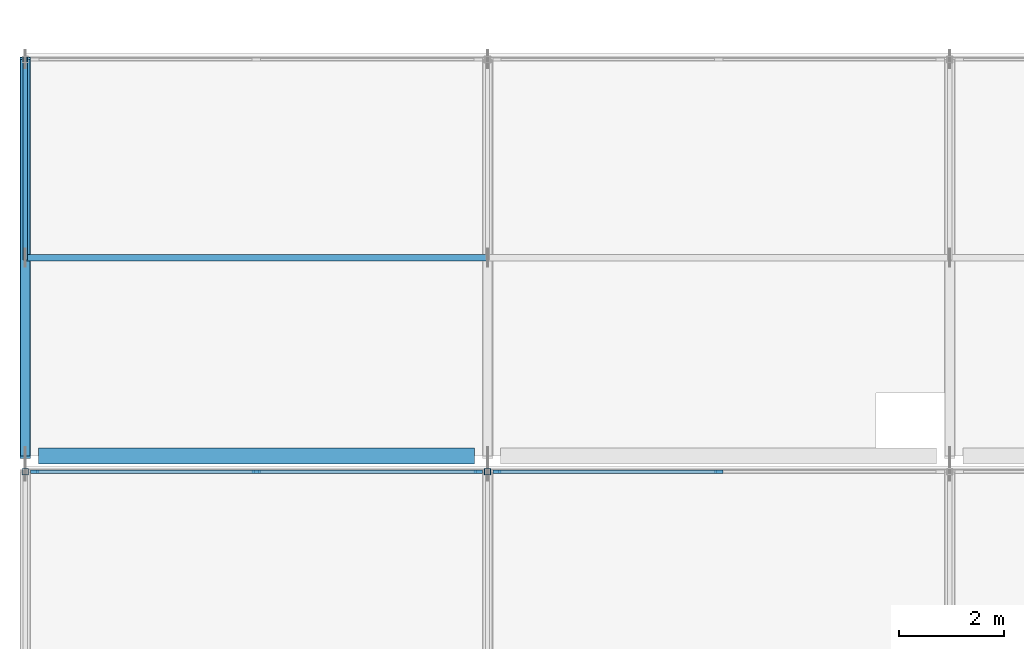
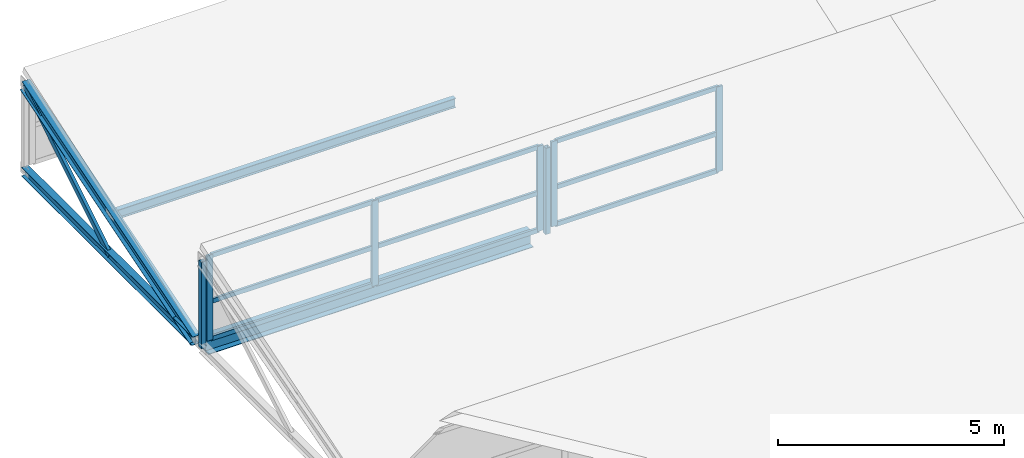
# One storey, part 4 of 40: 20 members, 1 beam, 2 elements without a shape of their own.
"""IFC4 building model written with IfcOpenShell, lengths in metres."""

from ifc_helpers import new_model, si_unit, direction, frame, origin, origin_2d, place, context, subcontext, project, spatial, rectangle, hollow_rectangle, i_section, extrude, material, material_profile, profile_set, type_object, element, aggregate, save


model = new_model("IFC4")

# Units and contexts
model_context = context("Model", 3, precision=1e-05, world=origin(), true_north=direction((0.0, 1.0)))
body_context = subcontext(model_context, "Body", "Model", "MODEL_VIEW")
ifc_project = project(units=[si_unit("LENGTHUNIT", "METRE"), si_unit("AREAUNIT", "SQUARE_METRE"), si_unit("VOLUMEUNIT", "CUBIC_METRE"), si_unit("PLANEANGLEUNIT", "RADIAN"), si_unit("MASSUNIT", "GRAM", prefix="KILO")], contexts=[model_context])

# Site, building, storey
site_placement = place(None, origin())
site = spatial("IfcSite", under=ifc_project, at=site_placement, CompositionType="ELEMENT")
building_placement = place(site_placement, origin())
building = spatial("IfcBuilding", under=site, at=building_placement, Name="Brinegate Botanical Conservatory", CompositionType="ELEMENT")
storey_placement = place(building_placement, frame((0.0, 0.0, 19.199951171875)))
storey = spatial("IfcBuildingStorey", under=building, at=storey_placement, Name="L05", CompositionType="ELEMENT", Elevation=19.199951171875)

# Beam
ifc_material_1 = material(Name="Structural steel Q355B / S355", Category="steel")
ifc_material_profile_1 = material_profile(ifc_material_1, i_section(OverallWidth=0.300048828125, OverallDepth=0.389892578125, WebThickness=0.010009765625, FlangeThickness=0.01611328125, at=origin_2d()), Name="HM 390x300x10x16")
ifc_profile_set_1 = profile_set([ifc_material_profile_1], Name="Structural steel Q355B / S355")
beam_type = type_object("IfcBeamType", Name="Beam_BM-S5", PredefinedType="BEAM", material=ifc_profile_set_1)
beam_placement = place(storey_placement, frame((51.050048828125, 103.60009765625, -0.179931640625), z_axis=(1.0, 0.0, 0.0), x_axis=(0.0, 1.0, 0.0)))
element("IfcBeam", 1, at=beam_placement, inside=storey, type_object=beam_type, Name="Sawtooth valley girder BM-S5 B3.1", PredefinedType="BEAM", context=body_context, shape_type="SweptSolid", body=[
    extrude(i_section(OverallWidth=0.300048828125, OverallDepth=0.389892578125, WebThickness=0.010009765625, FlangeThickness=0.01611328125, at=origin_2d()), origin(), (0.0, 0.0, 1.0), 8.300048828125),
])

# Curtain wall, members
ifc_material_2 = material(Name="Thermally broken anodised aluminium AW-6063-T6", Category="aluminium")
curtain_wall_type = type_object("IfcCurtainWallType", Name="CW_CW-SAW", PredefinedType="USERDEFINED", material=ifc_material_2)
curtain_wall_1_placement = place(storey_placement, origin())
curtain_wall_1 = element("IfcCurtainWall", 2, at=curtain_wall_1_placement, inside=storey, type_object=curtain_wall_type, Name="Sawtooth north-light clerestory B2.1", ObjectType="FACTORY CURTAIN WALL", PredefinedType="USERDEFINED")
ifc_material_profile_2 = material_profile(ifc_material_2, rectangle(XDim=0.06005859375, YDim=0.159912109375, at=origin_2d()), Name="ALUM MULLION 60x160")
ifc_profile_set_2 = profile_set([ifc_material_profile_2], Name="Thermally broken anodised aluminium AW-6063-T6")
member_type_1 = type_object("IfcMemberType", Name="Member_ML-01", PredefinedType="MULLION", material=ifc_profile_set_2)
member_1_placement = place(storey_placement, frame((50.97998046875, 103.300048828125, 0.150146484375), z_axis=(0.0, 0.0, 1.0), x_axis=(0.0, 1.0, 0.0)))
member_1 = element("IfcMember", 3, at=member_1_placement, type_object=member_type_1, Name="CW-SAW mullion 1", PredefinedType="MULLION", context=body_context, shape_type="SweptSolid", body=[
    extrude(rectangle(XDim=0.06005859375, YDim=0.159912109375, at=origin_2d()), origin(), (0.0, 0.0, 1.0), 2.2998046875),
])
member_2_placement = place(storey_placement, frame((55.199951171875, 103.300048828125, 0.150146484375), z_axis=(0.0, 0.0, 1.0), x_axis=(0.0, 1.0, 0.0)))
member_2 = element("IfcMember", 4, at=member_2_placement, type_object=member_type_1, Name="CW-SAW mullion 2", PredefinedType="MULLION", context=body_context, shape_type="SweptSolid", body=[
    extrude(rectangle(XDim=0.06005859375, YDim=0.159912109375, at=origin_2d()), origin(), (0.0, 0.0, 1.0), 2.2998046875),
])
member_3_placement = place(storey_placement, frame((59.419921875, 103.300048828125, 0.150146484375), z_axis=(0.0, 0.0, 1.0), x_axis=(0.0, 1.0, 0.0)))
member_3 = element("IfcMember", 5, at=member_3_placement, type_object=member_type_1, Name="CW-SAW mullion 3", PredefinedType="MULLION", context=body_context, shape_type="SweptSolid", body=[
    extrude(rectangle(XDim=0.06005859375, YDim=0.159912109375, at=origin_2d()), origin(), (0.0, 0.0, 1.0), 2.2998046875),
])

curtain_wall_2_placement = place(storey_placement, origin())
curtain_wall_2 = element("IfcCurtainWall", 6, at=curtain_wall_2_placement, inside=storey, type_object=curtain_wall_type, Name="Sawtooth north-light clerestory B2.2", ObjectType="FACTORY CURTAIN WALL", PredefinedType="USERDEFINED")
member_4_placement = place(storey_placement, frame((59.780029296875, 103.300048828125, 0.150146484375), z_axis=(0.0, 0.0, 1.0), x_axis=(0.0, 1.0, 0.0)))
member_4 = element("IfcMember", 7, at=member_4_placement, type_object=member_type_1, Name="CW-SAW mullion 1", PredefinedType="MULLION", context=body_context, shape_type="SweptSolid", body=[
    extrude(rectangle(XDim=0.06005859375, YDim=0.159912109375, at=origin_2d()), origin(), (0.0, 0.0, 1.0), 2.2998046875),
])
member_5_placement = place(storey_placement, frame((64.0, 103.300048828125, 0.150146484375), z_axis=(0.0, 0.0, 1.0), x_axis=(0.0, 1.0, 0.0)))
member_5 = element("IfcMember", 8, at=member_5_placement, type_object=member_type_1, Name="CW-SAW mullion 2", PredefinedType="MULLION", context=body_context, shape_type="SweptSolid", body=[
    extrude(rectangle(XDim=0.06005859375, YDim=0.159912109375, at=origin_2d()), origin(), (0.0, 0.0, 1.0), 2.2998046875),
])

# Members
ifc_material_profile_3 = material_profile(ifc_material_1, hollow_rectangle(XDim=0.080078125, YDim=0.159912109375, WallThickness=0.006103515625, at=origin_2d()), Name="RHS 160x80x6")
ifc_profile_set_3 = profile_set([ifc_material_profile_3], Name="Structural steel Q355B / S355")
member_type_2 = type_object("IfcMemberType", Name="Member_SB-01", PredefinedType="BRACE", material=ifc_profile_set_3)
member_6_placement = place(storey_placement, frame((50.800048828125, 107.375, 0.02001953125), z_axis=(0.0, 0.850947042806, 0.525251492468), x_axis=(-1.0, 0.0, 0.0)))
element("IfcMember", 9, at=member_6_placement, inside=storey, type_object=member_type_2, Name="Sawtooth web diagonal SB-01 B3.T1", PredefinedType="BRACE", context=body_context, shape_type="SweptSolid", body=[
    extrude(hollow_rectangle(XDim=0.080078125, YDim=0.159912109375, WallThickness=0.006103515625, at=origin_2d()), origin(), (0.0, 0.0, 1.0), 4.43603515625),
])
ifc_material_profile_4 = material_profile(ifc_material_1, i_section(OverallWidth=0.199951171875, OverallDepth=0.2939453125, WebThickness=0.008056640625, FlangeThickness=0.011962890625, at=origin_2d()), Name="HM 294x200x8x12")
ifc_profile_set_4 = profile_set([ifc_material_profile_4], Name="Structural steel Q355B / S355")
member_type_3 = type_object("IfcMemberType", Name="Member_SC-01", PredefinedType="CHORD", material=ifc_profile_set_4)
member_7_placement = place(storey_placement, frame((50.800048828125, 103.60009765625, 0.02001953125), z_axis=(0.0, 0.955527457741, 0.294902149032), x_axis=(-1.0, 0.0, 0.0)))
element("IfcMember", 10, at=member_7_placement, inside=storey, type_object=member_type_3, Name="Sawtooth rafter chord SC-01 B3.T1", PredefinedType="CHORD", context=body_context, shape_type="SweptSolid", body=[
    extrude(i_section(OverallWidth=0.199951171875, OverallDepth=0.2939453125, WebThickness=0.008056640625, FlangeThickness=0.011962890625, at=origin_2d()), origin(), (0.0, 0.0, 1.0), 7.901123046875),
])
ifc_material_profile_5 = material_profile(ifc_material_1, i_section(OverallWidth=0.175048828125, OverallDepth=0.243896484375, WebThickness=0.007080078125, FlangeThickness=0.010986328125, at=origin_2d()), Name="HM 244x175x7x11")
ifc_profile_set_5 = profile_set([ifc_material_profile_5], Name="Structural steel Q355B / S355")
member_type_4 = type_object("IfcMemberType", Name="Member_SC-02", PredefinedType="CHORD", material=ifc_profile_set_5)
member_8_placement = place(storey_placement, frame((50.800048828125, 103.60009765625, 0.02001953125), z_axis=(0.0, 1.0, 0.0), x_axis=(-1.0, 0.0, 0.0)))
element("IfcMember", 11, at=member_8_placement, inside=storey, type_object=member_type_4, Name="Sawtooth bottom tie SC-02 B3.T1", PredefinedType="CHORD", context=body_context, shape_type="SweptSolid", body=[
    extrude(i_section(OverallWidth=0.175048828125, OverallDepth=0.243896484375, WebThickness=0.007080078125, FlangeThickness=0.010986328125, at=origin_2d()), origin(), (0.0, 0.0, 1.0), 7.5498046875),
])
ifc_material_profile_6 = material_profile(ifc_material_1, i_section(OverallWidth=0.125, OverallDepth=0.25, WebThickness=0.006103515625, FlangeThickness=0.009033203125, at=origin_2d()), Name="HN 250x125x6x9")
ifc_profile_set_6 = profile_set([ifc_material_profile_6], Name="Structural steel Q355B / S355")
member_type_5 = type_object("IfcMemberType", Name="Member_SPU-01", PredefinedType="PURLIN", material=ifc_profile_set_6)
member_9_placement = place(storey_placement, frame((50.800048828125, 107.375, 1.094970703125), z_axis=(1.0, 0.0, 0.0), x_axis=(0.0, 1.0, 0.0)))
element("IfcMember", 12, at=member_9_placement, inside=storey, type_object=member_type_5, Name="Sawtooth roof purlin SPU-01 B3.1", PredefinedType="PURLIN", context=body_context, shape_type="SweptSolid", body=[
    extrude(i_section(OverallWidth=0.125, OverallDepth=0.25, WebThickness=0.006103515625, FlangeThickness=0.009033203125, at=origin_2d()), origin(), (0.0, 0.0, 1.0), 8.800048828125),
])
ifc_material_profile_7 = material_profile(ifc_material_1, hollow_rectangle(XDim=0.1201171875, YDim=0.1201171875, WallThickness=0.006103515625, at=origin_2d()), Name="SHS 120x120x6")
ifc_profile_set_7 = profile_set([ifc_material_profile_7], Name="Structural steel Q355B / S355")
member_type_6 = type_object("IfcMemberType", Name="Member_SS-01", PredefinedType="STRUT", material=ifc_profile_set_7)
for number, where, z_axis, x_axis, name in (
    (13, (50.800048828125, 103.300048828125, 0.02001953125), (0.0, 0.0, 1.0), (1.0, 0.0, 0.0), "Sawtooth north clerestory post SS-01 B2.T1"),
    (14, (59.60009765625, 103.300048828125, 0.02001953125), (0.0, 0.0, 1.0), (1.0, 0.0, 0.0), "Sawtooth north clerestory post SS-01 B2.T2"),
):
    element("IfcMember", number, at=place(storey_placement, frame(where, z_axis=z_axis, x_axis=x_axis)), inside=storey, type_object=member_type_6, Name=name, PredefinedType="STRUT", context=body_context, shape_type="SweptSolid", body=[
        extrude(hollow_rectangle(XDim=0.1201171875, YDim=0.1201171875, WallThickness=0.006103515625, at=origin_2d()), origin(), (0.0, 0.0, 1.0), 2.330078125),
    ])

# Member
ifc_material_profile_8 = material_profile(ifc_material_2, rectangle(XDim=0.06005859375, YDim=0.1201171875, at=origin_2d()), Name="ALUM TRANSOM 60x120")
ifc_profile_set_8 = profile_set([ifc_material_profile_8], Name="Thermally broken anodised aluminium AW-6063-T6")
member_type_7 = type_object("IfcMemberType", Name="Member_TR-01", PredefinedType="USERDEFINED", material=ifc_profile_set_8)
member_10_placement = place(storey_placement, frame((51.010009765625, 103.300048828125, 0.179931640625), z_axis=(1.0, 0.0, 0.0), x_axis=(0.0, 1.0, 0.0)))
member_10 = element("IfcMember", 15, at=member_10_placement, type_object=member_type_7, Name="CW-SAW transom 1.1", ObjectType="TRANSOM", PredefinedType="USERDEFINED", context=body_context, shape_type="SweptSolid", body=[
    extrude(rectangle(XDim=0.06005859375, YDim=0.1201171875, at=origin_2d()), origin(), (0.0, 0.0, 1.0), 4.159912109375),
])

member_11_placement = place(storey_placement, frame((51.010009765625, 103.300048828125, 1.18505859375), z_axis=(1.0, 0.0, 0.0), x_axis=(0.0, 1.0, 0.0)))
member_11 = element("IfcMember", 16, at=member_11_placement, type_object=member_type_7, Name="CW-SAW transom 1.2", ObjectType="TRANSOM", PredefinedType="USERDEFINED", context=body_context, shape_type="SweptSolid", body=[
    extrude(rectangle(XDim=0.06005859375, YDim=0.1201171875, at=origin_2d()), origin(), (0.0, 0.0, 1.0), 4.159912109375),
])

member_12_placement = place(storey_placement, frame((51.010009765625, 103.300048828125, 2.420166015625), z_axis=(1.0, 0.0, 0.0), x_axis=(0.0, 1.0, 0.0)))
member_12 = element("IfcMember", 17, at=member_12_placement, type_object=member_type_7, Name="CW-SAW transom 1.3", ObjectType="TRANSOM", PredefinedType="USERDEFINED", context=body_context, shape_type="SweptSolid", body=[
    extrude(rectangle(XDim=0.06005859375, YDim=0.1201171875, at=origin_2d()), origin(), (0.0, 0.0, 1.0), 4.159912109375),
])

member_13_placement = place(storey_placement, frame((55.22998046875, 103.300048828125, 0.179931640625), z_axis=(1.0, 0.0, 0.0), x_axis=(0.0, 1.0, 0.0)))
member_13 = element("IfcMember", 18, at=member_13_placement, type_object=member_type_7, Name="CW-SAW transom 2.1", ObjectType="TRANSOM", PredefinedType="USERDEFINED", context=body_context, shape_type="SweptSolid", body=[
    extrude(rectangle(XDim=0.06005859375, YDim=0.1201171875, at=origin_2d()), origin(), (0.0, 0.0, 1.0), 4.159912109375),
])

member_14_placement = place(storey_placement, frame((55.22998046875, 103.300048828125, 1.18505859375), z_axis=(1.0, 0.0, 0.0), x_axis=(0.0, 1.0, 0.0)))
member_14 = element("IfcMember", 19, at=member_14_placement, type_object=member_type_7, Name="CW-SAW transom 2.2", ObjectType="TRANSOM", PredefinedType="USERDEFINED", context=body_context, shape_type="SweptSolid", body=[
    extrude(rectangle(XDim=0.06005859375, YDim=0.1201171875, at=origin_2d()), origin(), (0.0, 0.0, 1.0), 4.159912109375),
])

member_15_placement = place(storey_placement, frame((55.22998046875, 103.300048828125, 2.420166015625), z_axis=(1.0, 0.0, 0.0), x_axis=(0.0, 1.0, 0.0)))
member_15 = element("IfcMember", 20, at=member_15_placement, type_object=member_type_7, Name="CW-SAW transom 2.3", ObjectType="TRANSOM", PredefinedType="USERDEFINED", context=body_context, shape_type="SweptSolid", body=[
    extrude(rectangle(XDim=0.06005859375, YDim=0.1201171875, at=origin_2d()), origin(), (0.0, 0.0, 1.0), 4.159912109375),
])

aggregate(curtain_wall_1, [member_1, member_2, member_3, member_10, member_11, member_12, member_13, member_14, member_15])

member_16_placement = place(storey_placement, frame((59.81005859375, 103.300048828125, 0.179931640625), z_axis=(1.0, 0.0, 0.0), x_axis=(0.0, 1.0, 0.0)))
member_16 = element("IfcMember", 21, at=member_16_placement, type_object=member_type_7, Name="CW-SAW transom 1.1", ObjectType="TRANSOM", PredefinedType="USERDEFINED", context=body_context, shape_type="SweptSolid", body=[
    extrude(rectangle(XDim=0.06005859375, YDim=0.1201171875, at=origin_2d()), origin(), (0.0, 0.0, 1.0), 4.159912109375),
])

member_17_placement = place(storey_placement, frame((59.81005859375, 103.300048828125, 1.18505859375), z_axis=(1.0, 0.0, 0.0), x_axis=(0.0, 1.0, 0.0)))
member_17 = element("IfcMember", 22, at=member_17_placement, type_object=member_type_7, Name="CW-SAW transom 1.2", ObjectType="TRANSOM", PredefinedType="USERDEFINED", context=body_context, shape_type="SweptSolid", body=[
    extrude(rectangle(XDim=0.06005859375, YDim=0.1201171875, at=origin_2d()), origin(), (0.0, 0.0, 1.0), 4.159912109375),
])

member_18_placement = place(storey_placement, frame((59.81005859375, 103.300048828125, 2.420166015625), z_axis=(1.0, 0.0, 0.0), x_axis=(0.0, 1.0, 0.0)))
member_18 = element("IfcMember", 23, at=member_18_placement, type_object=member_type_7, Name="CW-SAW transom 1.3", ObjectType="TRANSOM", PredefinedType="USERDEFINED", context=body_context, shape_type="SweptSolid", body=[
    extrude(rectangle(XDim=0.06005859375, YDim=0.1201171875, at=origin_2d()), origin(), (0.0, 0.0, 1.0), 4.159912109375),
])

aggregate(curtain_wall_2, [member_4, member_5, member_16, member_17, member_18])

save(model, "model.ifc")
